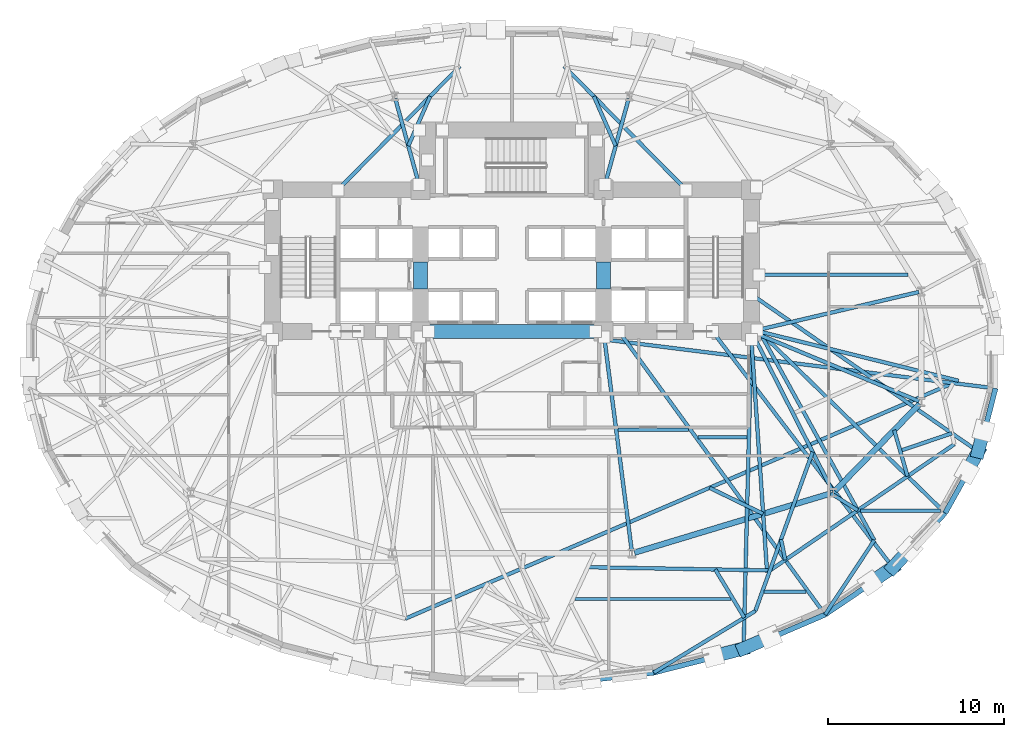
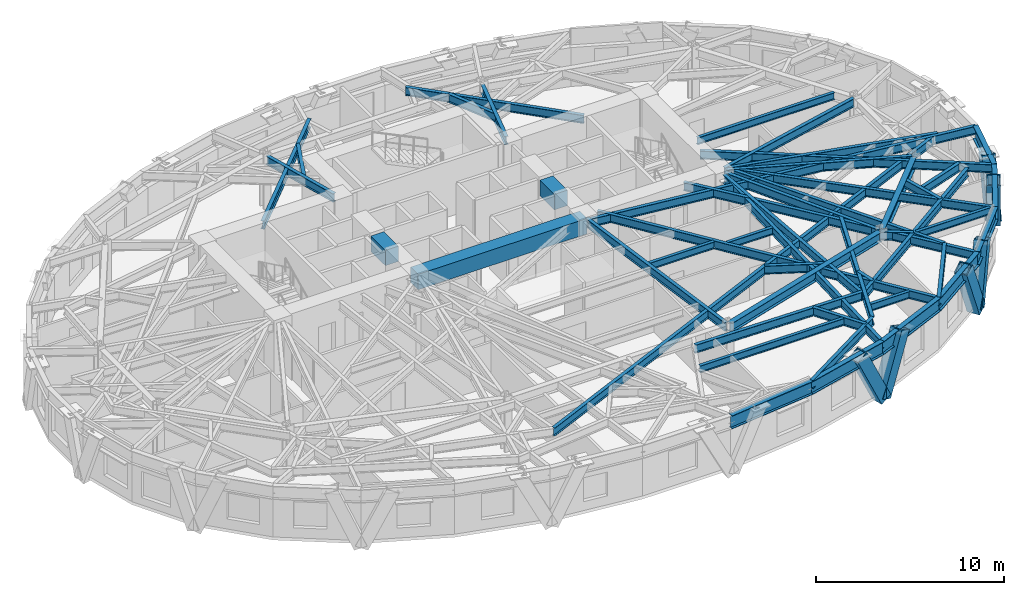
# One storey, part 3 of 14: 49 beams, 6 members.
"""IFC4 building model written with IfcOpenShell, lengths in metres."""

from ifc_helpers import new_model, si_unit, direction, frame, origin, origin_2d, place, context, subcontext, project, spatial, rectangle, hollow_rectangle, i_section, extrude, material, material_profile, profile_set, type_object, element, save


model = new_model("IFC4")

# Units and contexts
model_context = context("Model", 3, precision=1e-05, world=origin(), true_north=direction((0.0, 1.0)))
body_context = subcontext(model_context, "Body", "Model", "MODEL_VIEW")
ifc_project = project(units=[si_unit("LENGTHUNIT", "METRE"), si_unit("AREAUNIT", "SQUARE_METRE"), si_unit("VOLUMEUNIT", "CUBIC_METRE"), si_unit("PLANEANGLEUNIT", "RADIAN"), si_unit("MASSUNIT", "GRAM", prefix="KILO")], contexts=[model_context])

# Site, building, storey
site_placement = place(None, origin())
site = spatial("IfcSite", under=ifc_project, at=site_placement, CompositionType="ELEMENT")
building_placement = place(site_placement, origin())
building = spatial("IfcBuilding", under=site, at=building_placement, Name="Keldmark Tower", CompositionType="ELEMENT")
storey_placement = place(building_placement, frame((0.0, 0.0, 48.60009765625)))
storey = spatial("IfcBuildingStorey", under=building, at=storey_placement, Name="L12", CompositionType="ELEMENT", Elevation=48.60009765625)

# Beams
ifc_material_1 = material(Name="Steel ASTM A992 Grade 50", Category="steel")
ifc_material_profile_1 = material_profile(ifc_material_1, i_section(OverallWidth=0.19091796875, OverallDepth=0.45703125, WebThickness=0.009033203125, FlangeThickness=0.014404296875, at=origin_2d()), Name="W18X50")
ifc_profile_set_1 = profile_set([ifc_material_profile_1], Name="Steel ASTM A992 Grade 50")
beam_type_1 = type_object("IfcBeamType", Name="Composite Floor Joist W18X50", PredefinedType="JOIST", material=ifc_profile_set_1)
beam_1_placement = place(storey_placement, frame((3.57568359375, -13.800048828125, 3.17138671875), z_axis=(1.0, 0.0, 0.0), x_axis=(0.0, 1.0, 0.0)))
element("IfcBeam", 1, at=beam_1_placement, inside=storey, type_object=beam_type_1, Name="L12 Composite Floor Joist J02", PredefinedType="JOIST", context=body_context, shape_type="SweptSolid", body=[
    extrude(i_section(OverallWidth=0.19091796875, OverallDepth=0.45703125, WebThickness=0.009033203125, FlangeThickness=0.014404296875, at=origin_2d()), origin(), (0.0, 0.0, 1.0), 8.87353515625),
])
beam_2_placement = place(storey_placement, frame((14.321533203125, -13.3798828125, 3.17138671875), z_axis=(1.0, 0.0, 0.0), x_axis=(0.0, 1.0, 0.0)))
element("IfcBeam", 2, at=beam_2_placement, inside=storey, type_object=beam_type_1, Name="L12 Composite Floor Joist J03", PredefinedType="JOIST", context=body_context, shape_type="SweptSolid", body=[
    extrude(i_section(OverallWidth=0.19091796875, OverallDepth=0.45703125, WebThickness=0.009033203125, FlangeThickness=0.014404296875, at=origin_2d()), origin(), (0.0, 0.0, 1.0), 2.39453125),
])
beam_3_placement = place(storey_placement, frame((19.788818359375, -8.780029296875, 3.17138671875), z_axis=(1.0, 0.0, 0.0), x_axis=(0.0, 1.0, 0.0)))
element("IfcBeam", 3, at=beam_3_placement, inside=storey, type_object=beam_type_1, Name="L12 Composite Floor Joist J06", PredefinedType="JOIST", context=body_context, shape_type="SweptSolid", body=[
    extrude(i_section(OverallWidth=0.19091796875, OverallDepth=0.45703125, WebThickness=0.009033203125, FlangeThickness=0.014404296875, at=origin_2d()), origin(), (0.0, 0.0, 1.0), 4.5439453125),
])
beam_4_placement = place(storey_placement, frame((6.016845703125, -4.179931640625, 3.17138671875), z_axis=(1.0, 0.0, 0.0), x_axis=(0.0, 1.0, 0.0)))
element("IfcBeam", 4, at=beam_4_placement, inside=storey, type_object=beam_type_1, Name="L12 Composite Floor Joist J09", PredefinedType="JOIST", context=body_context, shape_type="SweptSolid", body=[
    extrude(i_section(OverallWidth=0.19091796875, OverallDepth=0.45703125, WebThickness=0.009033203125, FlangeThickness=0.014404296875, at=origin_2d()), origin(), (0.0, 0.0, 1.0), 4.003173828125),
])
beam_5_placement = place(storey_placement, frame((10.565673828125, -4.60009765625, 3.17138671875), z_axis=(1.0, 0.0, 0.0), x_axis=(0.0, 1.0, 0.0)))
element("IfcBeam", 5, at=beam_5_placement, inside=storey, type_object=beam_type_1, Name="L12 Composite Floor Joist J10", PredefinedType="JOIST", context=body_context, shape_type="SweptSolid", body=[
    extrude(i_section(OverallWidth=0.19091796875, OverallDepth=0.45703125, WebThickness=0.009033203125, FlangeThickness=0.014404296875, at=origin_2d()), origin(), (0.0, 0.0, 1.0), 2.797607421875),
])
beam_6_placement = place(storey_placement, frame((14.044921875, 4.6201171875, 3.17138671875), z_axis=(1.0, 0.0, 0.0), x_axis=(0.0, 1.0, 0.0)))
element("IfcBeam", 6, at=beam_6_placement, inside=storey, type_object=beam_type_1, Name="L12 Composite Floor Joist J13", PredefinedType="JOIST", context=body_context, shape_type="SweptSolid", body=[
    extrude(i_section(OverallWidth=0.19091796875, OverallDepth=0.45703125, WebThickness=0.009033203125, FlangeThickness=0.014404296875, at=origin_2d()), origin(), (0.0, 0.0, 1.0), 8.444580078125),
])
ifc_material_2 = material(Name="Concrete C70/85", Category="concrete")
ifc_material_profile_2 = material_profile(ifc_material_2, rectangle(XDim=0.800048828125, YDim=1.0, at=origin_2d()), Name="RCB800X1000")
ifc_profile_set_2 = profile_set([ifc_material_profile_2], Name="Concrete C70/85")
beam_type_2 = type_object("IfcBeamType", Name="Core Coupling Beam RCB800X1000", PredefinedType="USERDEFINED", material=ifc_profile_set_2)
for number, where, z_axis, x_axis, name in (
    (7, (-5.199951171875, 3.800048828125, 2.89990234375), (0.0, 1.0, 0.0), (-1.0, 0.0, 0.0), "L12 West Core Coupling Beam"),
    (8, (5.199951171875, 3.800048828125, 2.89990234375), (0.0, 1.0, 0.0), (-1.0, 0.0, 0.0), "L12 East Core Coupling Beam"),
):
    element("IfcBeam", number, at=place(storey_placement, frame(where, z_axis=z_axis, x_axis=x_axis)), inside=storey, type_object=beam_type_2, Name=name, ObjectType="COUPLING BEAM", PredefinedType="USERDEFINED", context=body_context, shape_type="SweptSolid", body=[
        extrude(rectangle(XDim=0.800048828125, YDim=1.0, at=origin_2d()), origin(), (0.0, 0.0, 1.0), 1.550048828125),
    ])
beam_7_placement = place(storey_placement, frame((-5.199951171875, 1.39990234375, 2.89990234375), z_axis=(1.0, 0.0, 0.0), x_axis=(0.0, 1.0, 0.0)))
element("IfcBeam", 9, at=beam_7_placement, inside=storey, type_object=beam_type_2, Name="L12 Central South Core Coupling Beam", ObjectType="COUPLING BEAM", PredefinedType="USERDEFINED", context=body_context, shape_type="SweptSolid", body=[
    extrude(rectangle(XDim=0.800048828125, YDim=1.0, at=origin_2d()), origin(), (0.0, 0.0, 1.0), 10.39990234375),
])

# Members
ifc_material_3 = material(Name="Steel ASTM A572 Grade 50", Category="steel")
ifc_material_profile_3 = material_profile(ifc_material_3, hollow_rectangle(XDim=0.75, YDim=0.75, WallThickness=0.06494140625, at=origin_2d()), Name="BOX750X750X65")
ifc_profile_set_3 = profile_set([ifc_material_profile_3], Name="Steel ASTM A572 Grade 50")
member_type = type_object("IfcMemberType", Name="Diagrid Lower Brace BOX750X750X65", PredefinedType="BRACE", material=ifc_profile_set_3)
member_1_placement = place(storey_placement, frame((13.135986328125, -16.617431640625, -0.280029296875), z_axis=(-0.428517862758, -0.109851141508, 0.896830623923), x_axis=(0.248321827558, -0.96867758824, 0.0)))
element("IfcMember", 10, at=member_1_placement, inside=storey, type_object=member_type, Name="L12 Perimeter Diagrid Brace 13B", PredefinedType="BRACE", context=body_context, shape_type="SweptSolid", body=[
    extrude(hollow_rectangle(XDim=0.75, YDim=0.75, WallThickness=0.06494140625, at=origin_2d()), origin(), (0.0, 0.0, 1.0), 3.96923828125),
])
member_2_placement = place(storey_placement, frame((13.125, -16.6220703125, -0.280029296875), z_axis=(0.392321493555, 0.168439009879, 0.904274375201), x_axis=(-0.394515266189, 0.918889386566, 0.0)))
element("IfcMember", 11, at=member_2_placement, inside=storey, type_object=member_type, Name="L12 Perimeter Diagrid Brace 14A", PredefinedType="BRACE", context=body_context, shape_type="SweptSolid", body=[
    extrude(hollow_rectangle(XDim=0.75, YDim=0.75, WallThickness=0.06494140625, at=origin_2d()), origin(), (0.0, 0.0, 1.0), 3.936767578125),
])
member_3_placement = place(storey_placement, frame((21.634765625, -12.005859375, -0.280029296875), z_axis=(-0.333186944535, -0.225766017062, 0.915432228803), x_axis=(0.560948167497, -0.827850924612, 0.0)))
element("IfcMember", 12, at=member_3_placement, inside=storey, type_object=member_type, Name="L12 Perimeter Diagrid Brace 14B", PredefinedType="BRACE", context=body_context, shape_type="SweptSolid", body=[
    extrude(hollow_rectangle(XDim=0.75, YDim=0.75, WallThickness=0.06494140625, at=origin_2d()), origin(), (0.0, 0.0, 1.0), 3.888671875),
])
member_4_placement = place(storey_placement, frame((21.62646484375, -12.01416015625, -0.280029296875), z_axis=(0.25500258471, 0.272689889737, 0.92769278634), x_axis=(-0.730397557148, 0.683022260627, 0.0)))
element("IfcMember", 13, at=member_4_placement, inside=storey, type_object=member_type, Name="L12 Perimeter Diagrid Brace 15A", PredefinedType="BRACE", context=body_context, shape_type="SweptSolid", body=[
    extrude(hollow_rectangle(XDim=0.75, YDim=0.75, WallThickness=0.06494140625, at=origin_2d()), origin(), (0.0, 0.0, 1.0), 3.837158203125),
])
member_5_placement = place(storey_placement, frame((26.4853515625, -5.4267578125, -0.280029296875), z_axis=(-0.169441419499, -0.303579863929, 0.937618723989), x_axis=(0.873195871477, -0.487369438963, 0.0)))
element("IfcMember", 14, at=member_5_placement, inside=storey, type_object=member_type, Name="L12 Perimeter Diagrid Brace 15B", PredefinedType="BRACE", context=body_context, shape_type="SweptSolid", body=[
    extrude(hollow_rectangle(XDim=0.75, YDim=0.75, WallThickness=0.06494140625, at=origin_2d()), origin(), (0.0, 0.0, 1.0), 3.796630859375),
])
member_6_placement = place(storey_placement, frame((26.48095703125, -5.4375, -0.280029296875), z_axis=(0.081948812842, 0.320092321881, 0.943835418676), x_axis=(-0.968755649676, 0.248017118805, 0.0)))
element("IfcMember", 15, at=member_6_placement, inside=storey, type_object=member_type, Name="L12 Perimeter Diagrid Brace 16A", PredefinedType="BRACE", context=body_context, shape_type="SweptSolid", body=[
    extrude(hollow_rectangle(XDim=0.75, YDim=0.75, WallThickness=0.06494140625, at=origin_2d()), origin(), (0.0, 0.0, 1.0), 3.771728515625),
])

# Beams
ifc_material_4 = material(Name="Steel ASTM A992 Grade 50", Category="steel")
ifc_material_profile_4 = material_profile(ifc_material_4, i_section(OverallWidth=0.323974609375, OverallDepth=0.611083984375, WebThickness=0.0126953125, FlangeThickness=0.01904296875, at=origin_2d()), Name="W24X104")
ifc_profile_set_4 = profile_set([ifc_material_profile_4], Name="Steel ASTM A992 Grade 50")
beam_type_3 = type_object("IfcBeamType", Name="Primary Floor Girder W24X104", PredefinedType="BEAM", material=ifc_profile_set_4)
beam_8_placement = place(storey_placement, frame((6.9560546875, -11.165283203125, 3.094482421875), z_axis=(0.957346071406, 0.2889437654, 0.0), x_axis=(-0.2889437654, 0.957346071406, 0.0)))
element("IfcBeam", 16, at=beam_8_placement, inside=storey, type_object=beam_type_3, Name="L12 Floor Ring Girder FG-R10", PredefinedType="BEAM", context=body_context, shape_type="SweptSolid", body=[
    extrude(i_section(OverallWidth=0.323974609375, OverallDepth=0.611083984375, WebThickness=0.0126953125, FlangeThickness=0.01904296875, at=origin_2d()), origin(), (0.0, 0.0, 1.0), 11.66015625),
])
beam_9_placement = place(storey_placement, frame((18.350341796875, -7.6552734375, 3.094482421875), z_axis=(0.697210382268, 0.716866572563, 0.0), x_axis=(-0.716866572563, 0.697210382268, 0.0)))
element("IfcBeam", 17, at=beam_9_placement, inside=storey, type_object=beam_type_3, Name="L12 Floor Ring Girder FG-R11", PredefinedType="BEAM", context=body_context, shape_type="SweptSolid", body=[
    extrude(i_section(OverallWidth=0.323974609375, OverallDepth=0.611083984375, WebThickness=0.0126953125, FlangeThickness=0.01904296875, at=origin_2d()), origin(), (0.0, 0.0, 1.0), 6.893310546875),
])
ifc_material_5 = material(Name="Steel ASTM A992 Grade 50", Category="steel")
ifc_material_profile_5 = material_profile(ifc_material_5, i_section(OverallWidth=0.2099609375, OverallDepth=0.537109375, WebThickness=0.010986328125, FlangeThickness=0.017333984375, at=origin_2d()), Name="W21X68")
ifc_profile_set_5 = profile_set([ifc_material_profile_5], Name="Steel ASTM A992 Grade 50")
beam_type_4 = type_object("IfcBeamType", Name="Radial Tie Girder W21X68", PredefinedType="BEAM", material=ifc_profile_set_5)
beam_10_placement = place(storey_placement, frame((5.889404296875, 11.948486328125, 3.13134765625), z_axis=(-0.403401535143, 0.915023060608, 0.0), x_axis=(-0.915023060608, -0.403401535143, 0.0)))
element("IfcBeam", 18, at=beam_10_placement, inside=storey, type_object=beam_type_4, Name="L12 Framing Pin Header PH-002", PredefinedType="BEAM", context=body_context, shape_type="SweptSolid", body=[
    extrude(i_section(OverallWidth=0.2099609375, OverallDepth=0.537109375, WebThickness=0.010986328125, FlangeThickness=0.017333984375, at=origin_2d()), origin(), (0.0, 0.0, 1.0), 3.072509765625),
])
beam_11_placement = place(storey_placement, frame((9.892822265625, 9.449951171875, 3.13134765625), z_axis=(-0.702598504383, 0.711586496245, 0.0), x_axis=(-0.711586496245, -0.702598504383, 0.0)))
element("IfcBeam", 19, at=beam_11_placement, inside=storey, type_object=beam_type_4, Name="L12 Sub-Ring Step Girder STP1-M03", PredefinedType="BEAM", context=body_context, shape_type="SweptSolid", body=[
    extrude(i_section(OverallWidth=0.2099609375, OverallDepth=0.537109375, WebThickness=0.010986328125, FlangeThickness=0.017333984375, at=origin_2d()), origin(), (0.0, 0.0, 1.0), 9.860107421875),
])
beam_12_placement = place(storey_placement, frame((-5.889404296875, 11.948486328125, 3.13134765625), z_axis=(0.403401535143, 0.915023060608, 0.0), x_axis=(-0.915023060608, 0.403401535143, 0.0)))
element("IfcBeam", 20, at=beam_12_placement, inside=storey, type_object=beam_type_4, Name="L12 Framing Pin Header PH-003", PredefinedType="BEAM", context=body_context, shape_type="SweptSolid", body=[
    extrude(i_section(OverallWidth=0.2099609375, OverallDepth=0.537109375, WebThickness=0.010986328125, FlangeThickness=0.017333984375, at=origin_2d()), origin(), (0.0, 0.0, 1.0), 3.072509765625),
])
beam_13_placement = place(storey_placement, frame((-9.892822265625, 9.449951171875, 3.13134765625), z_axis=(0.702598504383, 0.711586496245, 0.0), x_axis=(-0.711586496245, 0.702598504383, 0.0)))
element("IfcBeam", 21, at=beam_13_placement, inside=storey, type_object=beam_type_4, Name="L12 Sub-Ring Step Girder STP1-M04", PredefinedType="BEAM", context=body_context, shape_type="SweptSolid", body=[
    extrude(i_section(OverallWidth=0.2099609375, OverallDepth=0.537109375, WebThickness=0.010986328125, FlangeThickness=0.017333984375, at=origin_2d()), origin(), (0.0, 0.0, 1.0), 9.860107421875),
])
beam_14_placement = place(storey_placement, frame((14.050048828125, 1.39990234375, 3.13134765625), z_axis=(0.970791969309, -0.239922804929, 0.0), x_axis=(0.239922804929, 0.970791969309, 0.0)))
element("IfcBeam", 22, at=beam_14_placement, inside=storey, type_object=beam_type_4, Name="L12 Sub-Ring Step Girder STP1-M12", PredefinedType="BEAM", context=body_context, shape_type="SweptSolid", body=[
    extrude(i_section(OverallWidth=0.2099609375, OverallDepth=0.537109375, WebThickness=0.010986328125, FlangeThickness=0.017333984375, at=origin_2d()), origin(), (0.0, 0.0, 1.0), 11.656494140625),
])
beam_15_placement = place(storey_placement, frame((-6.0634765625, -14.916015625, 3.13134765625), z_axis=(0.91862010832, 0.395141868942, 0.0), x_axis=(-0.395141868942, 0.91862010832, 0.0)))
element("IfcBeam", 23, at=beam_15_placement, inside=storey, type_object=beam_type_4, Name="L12 Perimeter Collector Ring Beam CRG1-M09", PredefinedType="BEAM", context=body_context, shape_type="SweptSolid", body=[
    extrude(i_section(OverallWidth=0.2099609375, OverallDepth=0.537109375, WebThickness=0.010986328125, FlangeThickness=0.017333984375, at=origin_2d()), origin(), (0.0, 0.0, 1.0), 34.2138671875),
])
beam_16_placement = place(storey_placement, frame((11.22265625, -7.48046875, 3.13134765625), z_axis=(0.899644164592, -0.436623839381, 0.0), x_axis=(0.436623839381, 0.899644164592, 0.0)))
element("IfcBeam", 24, at=beam_16_placement, inside=storey, type_object=beam_type_4, Name="L12 Framing Pin Header PH-014", PredefinedType="BEAM", context=body_context, shape_type="SweptSolid", body=[
    extrude(i_section(OverallWidth=0.2099609375, OverallDepth=0.537109375, WebThickness=0.010986328125, FlangeThickness=0.017333984375, at=origin_2d()), origin(), (0.0, 0.0, 1.0), 3.385009765625),
])
beam_17_placement = place(storey_placement, frame((13.60009765625, 0.949951171875, 3.13134765625), z_axis=(0.067249465921, -0.997736192254, 0.0), x_axis=(0.997736192254, 0.067249465921, 0.0)))
element("IfcBeam", 25, at=beam_17_placement, inside=storey, type_object=beam_type_4, Name="L12 Sub-Ring Step Girder STP2-M11", PredefinedType="BEAM", context=body_context, shape_type="SweptSolid", body=[
    extrude(i_section(OverallWidth=0.2099609375, OverallDepth=0.537109375, WebThickness=0.010986328125, FlangeThickness=0.017333984375, at=origin_2d()), origin(), (0.0, 0.0, 1.0), 13.265380859375),
])
beam_18_placement = place(storey_placement, frame((14.4921875, -12.285400390625, 3.13134765625), z_axis=(0.82527984309, 0.564723986199, 0.0), x_axis=(-0.564723986199, 0.82527984309, 0.0)))
element("IfcBeam", 26, at=beam_18_placement, inside=storey, type_object=beam_type_4, Name="L12 Perimeter Collector Ring Beam CRG2-M11", PredefinedType="BEAM", context=body_context, shape_type="SweptSolid", body=[
    extrude(i_section(OverallWidth=0.2099609375, OverallDepth=0.537109375, WebThickness=0.010986328125, FlangeThickness=0.017333984375, at=origin_2d()), origin(), (0.0, 0.0, 1.0), 12.886474609375),
])
beam_19_placement = place(storey_placement, frame((4.3115234375, -11.99169921875, 3.13134765625), z_axis=(0.99984245989, -0.017749800043, 0.0), x_axis=(0.017749800043, 0.99984245989, 0.0)))
element("IfcBeam", 27, at=beam_19_placement, inside=storey, type_object=beam_type_4, Name="L12 Framing Pin Header PH-037", PredefinedType="BEAM", context=body_context, shape_type="SweptSolid", body=[
    extrude(i_section(OverallWidth=0.2099609375, OverallDepth=0.537109375, WebThickness=0.010986328125, FlangeThickness=0.017333984375, at=origin_2d()), origin(), (0.0, 0.0, 1.0), 10.343505859375),
])
beam_20_placement = place(storey_placement, frame((17.078369140625, -5.4443359375, 3.13134765625), z_axis=(-0.338967889835, -0.940797943057, 0.0), x_axis=(0.940797943057, -0.338967889835, 0.0)))
element("IfcBeam", 28, at=beam_20_placement, inside=storey, type_object=beam_type_4, Name="L12 Intermediate Radial Step Girder RT-27M", PredefinedType="BEAM", context=body_context, shape_type="SweptSolid", body=[
    extrude(i_section(OverallWidth=0.2099609375, OverallDepth=0.537109375, WebThickness=0.010986328125, FlangeThickness=0.017333984375, at=origin_2d()), origin(), (0.0, 0.0, 1.0), 9.6044921875),
])
beam_21_placement = place(storey_placement, frame((8.05029296875, -17.982666015625, 3.13134765625), z_axis=(0.854936428272, 0.51873278633, 0.0), x_axis=(-0.51873278633, 0.854936428272, 0.0)))
element("IfcBeam", 29, at=beam_21_placement, inside=storey, type_object=beam_type_4, Name="L12 Local Collector Chord RT-27C", PredefinedType="BEAM", context=body_context, shape_type="SweptSolid", body=[
    extrude(i_section(OverallWidth=0.2099609375, OverallDepth=0.537109375, WebThickness=0.010986328125, FlangeThickness=0.017333984375, at=origin_2d()), origin(), (0.0, 0.0, 1.0), 6.751953125),
])
beam_22_placement = place(storey_placement, frame((11.55078125, -12.120361328125, 3.13134765625), z_axis=(0.515843130065, -0.856683059926, 0.0), x_axis=(0.856683059926, 0.515843130065, 0.0)))
element("IfcBeam", 30, at=beam_22_placement, inside=storey, type_object=beam_type_4, Name="L12 Framing Pin Header PH-038", PredefinedType="BEAM", context=body_context, shape_type="SweptSolid", body=[
    extrude(i_section(OverallWidth=0.2099609375, OverallDepth=0.537109375, WebThickness=0.010986328125, FlangeThickness=0.017333984375, at=origin_2d()), origin(), (0.0, 0.0, 1.0), 3.196044921875),
])
beam_23_placement = place(storey_placement, frame((13.60009765625, 0.949951171875, 3.13134765625), z_axis=(-0.02534127953, -0.99967885821, 0.0), x_axis=(0.99967885821, -0.02534127953, 0.0)))
element("IfcBeam", 31, at=beam_23_placement, inside=storey, type_object=beam_type_4, Name="L12 Perimeter Radial Tie Girder RT-27", PredefinedType="BEAM", context=body_context, shape_type="SweptSolid", body=[
    extrude(i_section(OverallWidth=0.2099609375, OverallDepth=0.537109375, WebThickness=0.010986328125, FlangeThickness=0.017333984375, at=origin_2d()), origin(), (0.0, 0.0, 1.0), 17.63037109375),
])
beam_24_placement = place(storey_placement, frame((15.287841796875, -10.4140625, 3.13134765625), z_axis=(0.199630044772, -0.979871341159, 0.0), x_axis=(0.979871341159, 0.199630044772, 0.0)))
element("IfcBeam", 32, at=beam_24_placement, inside=storey, type_object=beam_type_4, Name="L12 Framing Pin Header PH-039", PredefinedType="BEAM", context=body_context, shape_type="SweptSolid", body=[
    extrude(i_section(OverallWidth=0.2099609375, OverallDepth=0.537109375, WebThickness=0.010986328125, FlangeThickness=0.017333984375, at=origin_2d()), origin(), (0.0, 0.0, 1.0), 1.188720703125),
])
beam_25_placement = place(storey_placement, frame((6.07861328125, 1.39990234375, 3.13134765625), z_axis=(0.588470082326, -0.808518993102, 0.0), x_axis=(0.808518993102, 0.588470082326, 0.0)))
element("IfcBeam", 33, at=beam_25_placement, inside=storey, type_object=beam_type_4, Name="L12 Perimeter Radial Tie Girder RT-28", PredefinedType="BEAM", context=body_context, shape_type="SweptSolid", body=[
    extrude(i_section(OverallWidth=0.2099609375, OverallDepth=0.537109375, WebThickness=0.010986328125, FlangeThickness=0.017333984375, at=origin_2d()), origin(), (0.0, 0.0, 1.0), 19.895263671875),
])
beam_26_placement = place(storey_placement, frame((18.118896484375, -7.796142578125, 3.13134765625), z_axis=(0.845948150047, -0.533265156776, 0.0), x_axis=(0.533265156776, 0.845948150047, 0.0)))
element("IfcBeam", 34, at=beam_26_placement, inside=storey, type_object=beam_type_4, Name="L12 Framing Pin Header PH-040", PredefinedType="BEAM", context=body_context, shape_type="SweptSolid", body=[
    extrude(i_section(OverallWidth=0.2099609375, OverallDepth=0.537109375, WebThickness=0.010986328125, FlangeThickness=0.017333984375, at=origin_2d()), origin(), (0.0, 0.0, 1.0), 1.80517578125),
])
beam_27_placement = place(storey_placement, frame((14.050048828125, 1.39990234375, 3.13134765625), z_axis=(0.482477991977, -0.875908092929, 0.0), x_axis=(0.875908092929, 0.482477991977, 0.0)))
element("IfcBeam", 35, at=beam_27_placement, inside=storey, type_object=beam_type_4, Name="L12 Intermediate Radial Step Girder RT-29M", PredefinedType="BEAM", context=body_context, shape_type="SweptSolid", body=[
    extrude(i_section(OverallWidth=0.2099609375, OverallDepth=0.537109375, WebThickness=0.010986328125, FlangeThickness=0.017333984375, at=origin_2d()), origin(), (0.0, 0.0, 1.0), 13.538330078125),
])
beam_28_placement = place(storey_placement, frame((17.786376953125, -14.685791015625, 3.13134765625), z_axis=(0.551617097715, 0.834097462836, 0.0), x_axis=(-0.834097462836, 0.551617097715, 0.0)))
element("IfcBeam", 36, at=beam_28_placement, inside=storey, type_object=beam_type_4, Name="L12 Local Collector Chord RT-29C", PredefinedType="BEAM", context=body_context, shape_type="SweptSolid", body=[
    extrude(i_section(OverallWidth=0.2099609375, OverallDepth=0.537109375, WebThickness=0.010986328125, FlangeThickness=0.017333984375, at=origin_2d()), origin(), (0.0, 0.0, 1.0), 5.068115234375),
])
beam_29_placement = place(storey_placement, frame((11.392822265625, 1.39990234375, 3.13134765625), z_axis=(0.607192621038, -0.794554668325, 0.0), x_axis=(0.794554668325, 0.607192621038, 0.0)))
element("IfcBeam", 37, at=beam_29_placement, inside=storey, type_object=beam_type_4, Name="L12 Perimeter Radial Tie Girder RT-29", PredefinedType="BEAM", context=body_context, shape_type="SweptSolid", body=[
    extrude(i_section(OverallWidth=0.2099609375, OverallDepth=0.537109375, WebThickness=0.010986328125, FlangeThickness=0.017333984375, at=origin_2d()), origin(), (0.0, 0.0, 1.0), 16.930419921875),
])
beam_30_placement = place(storey_placement, frame((21.714599609375, -4.196044921875, 3.13134765625), z_axis=(0.276523764245, -0.961007079999, 0.0), x_axis=(0.961007079999, 0.276523764245, 0.0)))
element("IfcBeam", 38, at=beam_30_placement, inside=storey, type_object=beam_type_4, Name="L12 Framing Pin Header PH-041", PredefinedType="BEAM", context=body_context, shape_type="SweptSolid", body=[
    extrude(i_section(OverallWidth=0.2099609375, OverallDepth=0.537109375, WebThickness=0.010986328125, FlangeThickness=0.017333984375, at=origin_2d()), origin(), (0.0, 0.0, 1.0), 2.736083984375),
])
beam_31_placement = place(storey_placement, frame((14.050048828125, 1.39990234375, 3.13134765625), z_axis=(0.715378294414, -0.698737358298, 0.0), x_axis=(0.698737358298, 0.715378294414, 0.0)))
element("IfcBeam", 39, at=beam_31_placement, inside=storey, type_object=beam_type_4, Name="L12 Perimeter Radial Tie Girder RT-30", PredefinedType="BEAM", context=body_context, shape_type="SweptSolid", body=[
    extrude(i_section(OverallWidth=0.2099609375, OverallDepth=0.537109375, WebThickness=0.010986328125, FlangeThickness=0.017333984375, at=origin_2d()), origin(), (0.0, 0.0, 1.0), 14.759033203125),
])
beam_32_placement = place(storey_placement, frame((22.05517578125, -5.37939453125, 3.13134765625), z_axis=(0.946872084839, 0.321610408651, 0.0), x_axis=(-0.321610408651, 0.946872084839, 0.0)))
element("IfcBeam", 40, at=beam_32_placement, inside=storey, type_object=beam_type_4, Name="L12 Framing Pin Header PH-042", PredefinedType="BEAM", context=body_context, shape_type="SweptSolid", body=[
    extrude(i_section(OverallWidth=0.2099609375, OverallDepth=0.537109375, WebThickness=0.010986328125, FlangeThickness=0.017333984375, at=origin_2d()), origin(), (0.0, 0.0, 1.0), 3.099365234375),
])
beam_33_placement = place(storey_placement, frame((13.60009765625, 3.507080078125, 3.13134765625), z_axis=(0.822045857539, -0.569421292281, 0.0), x_axis=(0.569421292281, 0.822045857539, 0.0)))
element("IfcBeam", 41, at=beam_33_placement, inside=storey, type_object=beam_type_4, Name="L12 Perimeter Radial Tie Girder RT-31", PredefinedType="BEAM", context=body_context, shape_type="SweptSolid", body=[
    extrude(i_section(OverallWidth=0.2099609375, OverallDepth=0.537109375, WebThickness=0.010986328125, FlangeThickness=0.017333984375, at=origin_2d()), origin(), (0.0, 0.0, 1.0), 15.739013671875),
])
beam_34_placement = place(storey_placement, frame((5.199951171875, 0.949951171875, 3.13134765625), z_axis=(0.992279383121, -0.124022682736, 0.0), x_axis=(0.124022682736, 0.992279383121, 0.0)))
element("IfcBeam", 42, at=beam_34_placement, inside=storey, type_object=beam_type_4, Name="L12 Perimeter Radial Tie Girder RT-32", PredefinedType="BEAM", context=body_context, shape_type="SweptSolid", body=[
    extrude(i_section(OverallWidth=0.2099609375, OverallDepth=0.537109375, WebThickness=0.010986328125, FlangeThickness=0.017333984375, at=origin_2d()), origin(), (0.0, 0.0, 1.0), 22.439208984375),
])
ifc_material_6 = material(Name="Steel ASTM A992 Grade 50", Category="steel")
ifc_material_profile_6 = material_profile(ifc_material_6, i_section(OverallWidth=0.214111328125, OverallDepth=0.549072265625, WebThickness=0.0146484375, FlangeThickness=0.023681640625, at=origin_2d()), Name="W21X93")
ifc_profile_set_6 = profile_set([ifc_material_profile_6], Name="Steel ASTM A992 Grade 50")
beam_type_5 = type_object("IfcBeamType", Name="Radial Tie Girder W21X93", PredefinedType="BEAM", material=ifc_profile_set_6)
beam_35_placement = place(storey_placement, frame((23.11767578125, 3.64501953125, 3.12548828125), z_axis=(-0.973287364179, -0.229590301909, 0.0), x_axis=(0.229590301909, -0.973287364179, 0.0)))
element("IfcBeam", 43, at=beam_35_placement, inside=storey, type_object=beam_type_5, Name="L12 Floor Radial Girder FG-C01", PredefinedType="BEAM", context=body_context, shape_type="SweptSolid", body=[
    extrude(i_section(OverallWidth=0.214111328125, OverallDepth=0.549072265625, WebThickness=0.0146484375, FlangeThickness=0.023681640625, at=origin_2d()), origin(), (0.0, 0.0, 1.0), 9.458740234375),
])
for number, where, z_axis, x_axis, name in (
    (44, (6.6279296875, 14.625, 3.12548828125), (-0.265984786353, -0.963977226613, 0.0), (0.963977226613, -0.265984786353, 0.0), "L12 Floor Radial Girder FG-C03"),
    (45, (-6.6279296875, 14.625, 3.12548828125), (0.265984786353, -0.963977226613, 0.0), (0.963977226613, 0.265984786353, 0.0), "L12 Floor Radial Girder FG-C04"),
):
    element("IfcBeam", number, at=place(storey_placement, frame(where, z_axis=z_axis, x_axis=x_axis)), inside=storey, type_object=beam_type_5, Name=name, PredefinedType="BEAM", context=body_context, shape_type="SweptSolid", body=[
        extrude(i_section(OverallWidth=0.214111328125, OverallDepth=0.549072265625, WebThickness=0.0146484375, FlangeThickness=0.023681640625, at=origin_2d()), origin(), (0.0, 0.0, 1.0), 5.04833984375),
    ])
beam_36_placement = place(storey_placement, frame((6.80419921875, -11.06689453125, 3.12548828125), z_axis=(-0.127634898593, 0.99182122011, 0.0), x_axis=(-0.99182122011, -0.127634898593, 0.0)))
element("IfcBeam", 46, at=beam_36_placement, inside=storey, type_object=beam_type_5, Name="L12 Floor Radial Girder FG-C10", PredefinedType="BEAM", context=body_context, shape_type="SweptSolid", body=[
    extrude(i_section(OverallWidth=0.214111328125, OverallDepth=0.549072265625, WebThickness=0.0146484375, FlangeThickness=0.023681640625, at=origin_2d()), origin(), (0.0, 0.0, 1.0), 12.24951171875),
])
beam_37_placement = place(storey_placement, frame((18.189453125, -7.630859375, 3.12548828125), z_axis=(-0.453037526986, 0.891491446478, 0.0), x_axis=(-0.891491446478, -0.453037526986, 0.0)))
element("IfcBeam", 47, at=beam_37_placement, inside=storey, type_object=beam_type_5, Name="L12 Floor Radial Girder FG-C11", PredefinedType="BEAM", context=body_context, shape_type="SweptSolid", body=[
    extrude(i_section(OverallWidth=0.214111328125, OverallDepth=0.549072265625, WebThickness=0.0146484375, FlangeThickness=0.023681640625, at=origin_2d()), origin(), (0.0, 0.0, 1.0), 9.81005859375),
])
beam_38_placement = place(storey_placement, frame((23.124755859375, -2.5595703125, 3.12548828125), z_axis=(-0.923390978102, 0.383860784088, 0.0), x_axis=(-0.383860784088, -0.923390978102, 0.0)))
element("IfcBeam", 48, at=beam_38_placement, inside=storey, type_object=beam_type_5, Name="L12 Floor Radial Girder FG-C12", PredefinedType="BEAM", context=body_context, shape_type="SweptSolid", body=[
    extrude(i_section(OverallWidth=0.214111328125, OverallDepth=0.549072265625, WebThickness=0.0146484375, FlangeThickness=0.023681640625, at=origin_2d()), origin(), (0.0, 0.0, 1.0), 9.994873046875),
])
ifc_material_7 = material(Name="Steel ASTM A992 Grade 50", Category="steel")
ifc_material_profile_7 = material_profile(ifc_material_7, i_section(OverallWidth=0.2919921875, OverallDepth=0.85888671875, WebThickness=0.01708984375, FlangeThickness=0.031005859375, at=origin_2d()), Name="W33X169")
ifc_profile_set_7 = profile_set([ifc_material_profile_7], Name="Steel ASTM A992 Grade 50")
beam_type_6 = type_object("IfcBeamType", Name="Spandrel Ring Beam W33X169", PredefinedType="SPANDREL", material=ifc_profile_set_7)
beam_39_placement = place(storey_placement, frame((2.705078125, -18.611083984375, 2.970458984375), z_axis=(0.993159890371, 0.116762289112, 0.0), x_axis=(-0.116762289112, 0.993159890371, 0.0)))
element("IfcBeam", 49, at=beam_39_placement, inside=storey, type_object=beam_type_6, Name="L12 Perimeter Spandrel Ring Beam SRB-25", PredefinedType="SPANDREL", context=body_context, shape_type="SweptSolid", body=[
    extrude(i_section(OverallWidth=0.2919921875, OverallDepth=0.85888671875, WebThickness=0.01708984375, FlangeThickness=0.031005859375, at=origin_2d()), origin(), (0.0, 0.0, 1.0), 5.382080078125),
])
beam_40_placement = place(storey_placement, frame((8.05029296875, -17.982666015625, 2.970458984375), z_axis=(0.968691592339, 0.248267192621, 0.0), x_axis=(-0.248267192621, 0.968691592339, 0.0)))
element("IfcBeam", 50, at=beam_40_placement, inside=storey, type_object=beam_type_6, Name="L12 Perimeter Spandrel Ring Beam SRB-26", PredefinedType="SPANDREL", context=body_context, shape_type="SweptSolid", body=[
    extrude(i_section(OverallWidth=0.2919921875, OverallDepth=0.85888671875, WebThickness=0.01708984375, FlangeThickness=0.031005859375, at=origin_2d()), origin(), (0.0, 0.0, 1.0), 5.26806640625),
])
beam_41_placement = place(storey_placement, frame((13.1533203125, -16.6748046875, 2.970458984375), z_axis=(0.91889940345, 0.394491934442, 0.0), x_axis=(-0.394491934442, 0.91889940345, 0.0)))
element("IfcBeam", 51, at=beam_41_placement, inside=storey, type_object=beam_type_6, Name="L12 Perimeter Spandrel Ring Beam SRB-27", PredefinedType="SPANDREL", context=body_context, shape_type="SweptSolid", body=[
    extrude(i_section(OverallWidth=0.2919921875, OverallDepth=0.85888671875, WebThickness=0.01708984375, FlangeThickness=0.031005859375, at=origin_2d()), origin(), (0.0, 0.0, 1.0), 5.0419921875),
])
beam_42_placement = place(storey_placement, frame((17.786376953125, -14.685791015625, 2.970458984375), z_axis=(0.827842346852, 0.560960826402, 0.0), x_axis=(-0.560960826402, 0.827842346852, 0.0)))
element("IfcBeam", 52, at=beam_42_placement, inside=storey, type_object=beam_type_6, Name="L12 Perimeter Spandrel Ring Beam SRB-28", PredefinedType="SPANDREL", context=body_context, shape_type="SweptSolid", body=[
    extrude(i_section(OverallWidth=0.2919921875, OverallDepth=0.85888671875, WebThickness=0.01708984375, FlangeThickness=0.031005859375, at=origin_2d()), origin(), (0.0, 0.0, 1.0), 4.69482421875),
])
beam_43_placement = place(storey_placement, frame((21.6728515625, -12.05224609375, 2.970458984375), z_axis=(0.68299392258, 0.730424056093, 0.0), x_axis=(-0.730424056093, 0.68299392258, 0.0)))
element("IfcBeam", 53, at=beam_43_placement, inside=storey, type_object=beam_type_6, Name="L12 Perimeter Spandrel Ring Beam SRB-29", PredefinedType="SPANDREL", context=body_context, shape_type="SweptSolid", body=[
    extrude(i_section(OverallWidth=0.2919921875, OverallDepth=0.85888671875, WebThickness=0.01708984375, FlangeThickness=0.031005859375, at=origin_2d()), origin(), (0.0, 0.0, 1.0), 4.298095703125),
])
beam_44_placement = place(storey_placement, frame((24.6083984375, -8.912841796875, 2.970458984375), z_axis=(0.487369438963, 0.873195871477, 0.0), x_axis=(-0.873195871477, 0.487369438963, 0.0)))
element("IfcBeam", 54, at=beam_44_placement, inside=storey, type_object=beam_type_6, Name="L12 Perimeter Spandrel Ring Beam SRB-30", PredefinedType="SPANDREL", context=body_context, shape_type="SweptSolid", body=[
    extrude(i_section(OverallWidth=0.2919921875, OverallDepth=0.85888671875, WebThickness=0.01708984375, FlangeThickness=0.031005859375, at=origin_2d()), origin(), (0.0, 0.0, 1.0), 3.9599609375),
])
beam_45_placement = place(storey_placement, frame((26.538330078125, -5.455078125, 2.970458984375), z_axis=(0.248062710061, 0.968743976434, 0.0), x_axis=(-0.968743976434, 0.248062710061, 0.0)))
element("IfcBeam", 55, at=beam_45_placement, inside=storey, type_object=beam_type_6, Name="L12 Perimeter Spandrel Ring Beam SRB-31", PredefinedType="SPANDREL", context=body_context, shape_type="SweptSolid", body=[
    extrude(i_section(OverallWidth=0.2919921875, OverallDepth=0.85888671875, WebThickness=0.01708984375, FlangeThickness=0.031005859375, at=origin_2d()), origin(), (0.0, 0.0, 1.0), 3.739013671875),
])

save(model, "model.ifc")
